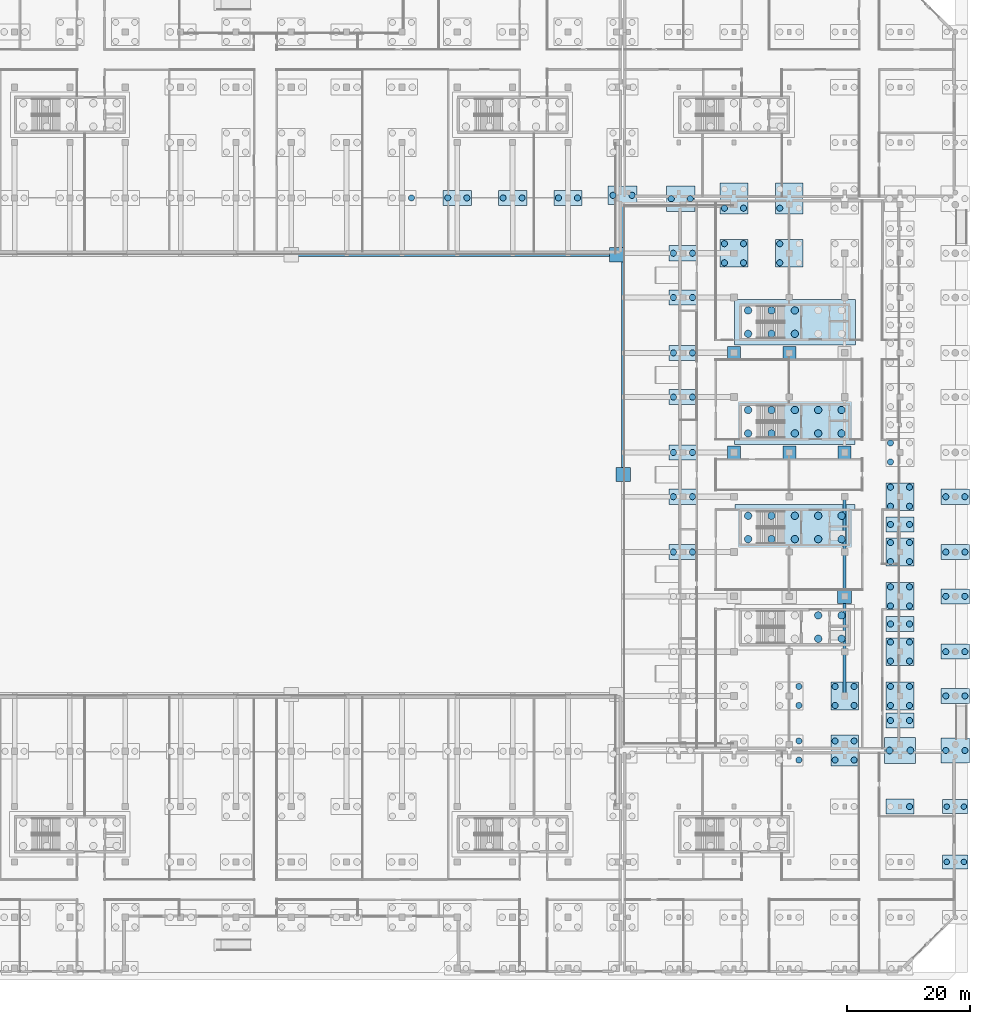
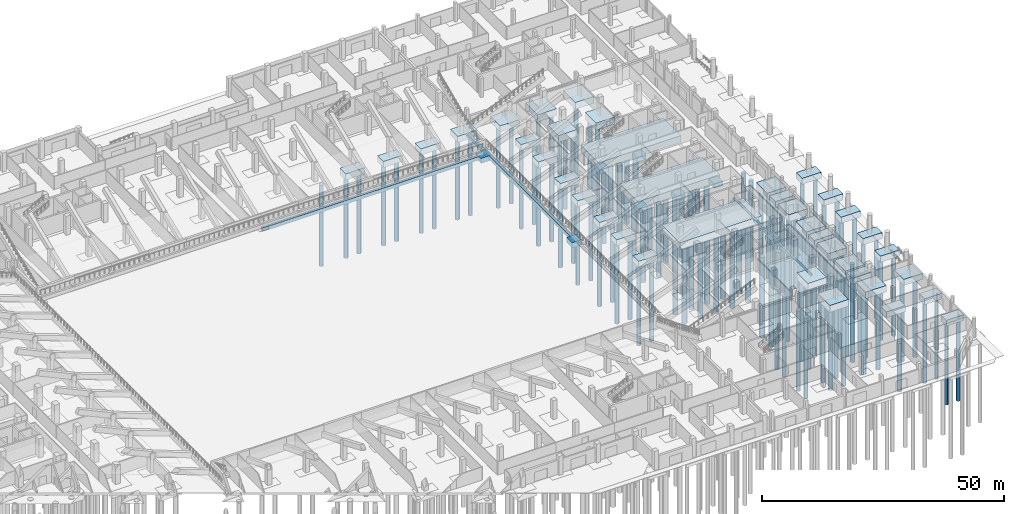
# One storey, part 5 of 53: 123 piles, 50 footings.
"""IFC4 building model written with IfcOpenShell, lengths in metres."""

from ifc_helpers import new_model, si_unit, direction, frame, origin, origin_2d, place, context, subcontext, project, spatial, rectangle, circle, extrude, material, layer, layer_set, material_profile, profile_set, type_object, element, save


model = new_model("IFC4")

# Units and contexts
model_context = context("Model", 3, precision=1e-05, world=origin(), true_north=direction((0.0, 1.0)))
body_context = subcontext(model_context, "Body", "Model", "MODEL_VIEW")
ifc_project = project(units=[si_unit("LENGTHUNIT", "METRE"), si_unit("AREAUNIT", "SQUARE_METRE"), si_unit("VOLUMEUNIT", "CUBIC_METRE"), si_unit("PLANEANGLEUNIT", "RADIAN"), si_unit("MASSUNIT", "GRAM", prefix="KILO"), si_unit("THERMODYNAMICTEMPERATUREUNIT", "KELVIN"), si_unit("POWERUNIT", "WATT")], contexts=[model_context])

# Site, building, storey
site_placement = place(None, origin())
site = spatial("IfcSite", under=ifc_project, at=site_placement, CompositionType="ELEMENT")
building_placement = place(site_placement, origin())
building = spatial("IfcBuilding", under=site, at=building_placement, Name="Sindhuravela Promenade Stadium", CompositionType="ELEMENT")
storey_placement = place(building_placement, origin())
storey = spatial("IfcBuildingStorey", under=building, at=storey_placement, Name="L00", CompositionType="ELEMENT", Elevation=0.0)

# Footings
ifc_material_1 = material(Name="Concrete M40", Category="concrete")
ifc_material_profile_1 = material_profile(ifc_material_1, rectangle(XDim=0.5, YDim=0.800048828125, at=origin_2d()), Name="RC 500x800")
ifc_profile_set_1 = profile_set([ifc_material_profile_1], Name="Concrete M40")
footing_type_1 = type_object("IfcFootingType", Name="FD-FB-500x800", PredefinedType="FOOTING_BEAM", material=ifc_profile_set_1)
footing_1_placement = place(storey_placement, frame((198.0, 45.0, -0.39990234375), z_axis=(0.0, 1.0, 0.0), x_axis=(-1.0, 0.0, 0.0)))
element("IfcFooting", 1, at=footing_1_placement, inside=storey, type_object=footing_type_1, Name="Ground tie beam FB-TIE-E1", PredefinedType="FOOTING_BEAM", context=body_context, shape_type="SweptSolid", body=[
    extrude(rectangle(XDim=0.5, YDim=0.800048828125, at=origin_2d()), origin(), (0.0, 0.0, 1.0), 32.39990234375),
])
ifc_material_profile_2 = material_profile(ifc_material_1, rectangle(XDim=0.60009765625, YDim=0.89990234375, at=origin_2d()), Name="RC 600x900")
ifc_profile_set_2 = profile_set([ifc_material_profile_2], Name="Concrete M40")
footing_type_2 = type_object("IfcFootingType", Name="FD-FB-600x900", PredefinedType="FOOTING_BEAM", material=ifc_profile_set_2)
footing_2_placement = place(storey_placement, frame((162.0, 81.0, -0.449951171875), z_axis=(0.0, 1.0, 0.0), x_axis=(-1.0, 0.0, 0.0)))
element("IfcFooting", 2, at=footing_2_placement, inside=storey, type_object=footing_type_2, Name="Ground tie beam FB-PW-E2", PredefinedType="FOOTING_BEAM", context=body_context, shape_type="SweptSolid", body=[
    extrude(rectangle(XDim=0.60009765625, YDim=0.89990234375, at=origin_2d()), origin(), (0.0, 0.0, 1.0), 43.89990234375),
])
footing_3_placement = place(storey_placement, frame((108.0, 116.75, -0.449951171875), z_axis=(1.0, 0.0, 0.0), x_axis=(0.0, 1.0, 0.0)))
element("IfcFooting", 3, at=footing_3_placement, inside=storey, type_object=footing_type_2, Name="Ground tie beam FB-PW-N2", PredefinedType="FOOTING_BEAM", context=body_context, shape_type="SweptSolid", body=[
    extrude(rectangle(XDim=0.60009765625, YDim=0.89990234375, at=origin_2d()), origin(), (0.0, 0.0, 1.0), 52.89990234375),
])
ifc_material_2 = material(Name="Concrete M50", Category="concrete")
ifc_layer_1 = layer(ifc_material_2, 1.75)
ifc_layer_set_1 = layer_set([ifc_layer_1], Name="Concrete M50")
footing_type_3 = type_object("IfcFootingType", Name="FD-PC-19500x7400x1750", PredefinedType="PILE_CAP", material=ifc_layer_set_1)
footing_4_placement = place(storey_placement, frame((189.89990234375, 72.39990234375, -1.75), z_axis=(0.0, 0.0, 1.0), x_axis=(1.0, 0.0, 0.0)))
element("IfcFooting", 4, at=footing_4_placement, inside=storey, type_object=footing_type_3, Name="Core pile cap C06", PredefinedType="PILE_CAP", context=body_context, shape_type="SweptSolid", body=[
    extrude(rectangle(XDim=19.5, YDim=7.39990234375, at=origin_2d()), origin(), (0.0, 0.0, 1.0), 1.75),
])
ifc_layer_2 = layer(ifc_material_2, 1.75)
ifc_layer_set_2 = layer_set([ifc_layer_2], Name="Concrete M50")
footing_type_4 = type_object("IfcFootingType", Name="FD-PC-19600x7400x1750", PredefinedType="PILE_CAP", material=ifc_layer_set_2)
footing_5_placement = place(storey_placement, frame((189.89990234375, 89.60009765625, -1.75), z_axis=(0.0, 0.0, 1.0), x_axis=(1.0, 0.0, 0.0)))
element("IfcFooting", 5, at=footing_5_placement, inside=storey, type_object=footing_type_4, Name="Core pile cap C07", PredefinedType="PILE_CAP", context=body_context, shape_type="SweptSolid", body=[
    extrude(rectangle(XDim=19.60009765625, YDim=7.39990234375, at=origin_2d()), origin(), (0.0, 0.0, 1.0), 1.75),
])
ifc_layer_3 = layer(ifc_material_2, 1.75)
ifc_layer_set_3 = layer_set([ifc_layer_3], Name="Concrete M50")
footing_type_5 = type_object("IfcFootingType", Name="FD-PC-19700x7400x1750", PredefinedType="PILE_CAP", material=ifc_layer_set_3)
footing_6_placement = place(storey_placement, frame((189.89990234375, 105.800048828125, -1.75), z_axis=(0.0, 0.0, 1.0), x_axis=(1.0, 0.0, 0.0)))
element("IfcFooting", 6, at=footing_6_placement, inside=storey, type_object=footing_type_5, Name="Core pile cap C08", PredefinedType="PILE_CAP", context=body_context, shape_type="SweptSolid", body=[
    extrude(rectangle(XDim=19.699951171875, YDim=7.39990234375, at=origin_2d()), origin(), (0.0, 0.0, 1.0), 1.75),
])
ifc_layer_4 = layer(ifc_material_2, 1.449951171875)
ifc_layer_set_4 = layer_set([ifc_layer_4], Name="Concrete M50")
footing_type_6 = type_object("IfcFootingType", Name="FD-PC-4200x2250x1450", PredefinedType="PILE_CAP", material=ifc_layer_set_4)
for number, where, z_axis, x_axis, name in (
    (7, (216.0, 18.0, -1.4501953125), (0.0, 0.0, 1.0), (1.0, 0.0, 0.0), "Pile cap PC30-0311"),
    (8, (216.0, 27.0, -1.4501953125), (0.0, 0.0, 1.0), (1.0, 0.0, 0.0), "Pile cap PC30-0312"),
):
    element("IfcFooting", number, at=place(storey_placement, frame(where, z_axis=z_axis, x_axis=x_axis)), inside=storey, type_object=footing_type_6, Name=name, PredefinedType="PILE_CAP", context=body_context, shape_type="SweptSolid", body=[
        extrude(rectangle(XDim=4.199951171875, YDim=2.25, at=origin_2d()), origin(), (0.0, 0.0, 1.0), 1.449951171875),
    ])
ifc_layer_5 = layer(ifc_material_2, 1.75)
ifc_layer_set_5 = layer_set([ifc_layer_5], Name="Concrete M50")
footing_type_7 = type_object("IfcFootingType", Name="FD-PC-4500x4500x1750", PredefinedType="PILE_CAP", material=ifc_layer_set_5)
for number, where, z_axis, x_axis, name in (
    (9, (180.0, 117.0, -1.75), (0.0, 0.0, 1.0), (1.0, 0.0, 0.0), "Pile cap PC26-0095"),
    (10, (189.0, 117.0, -1.75), (0.0, 0.0, 1.0), (1.0, 0.0, 0.0), "Pile cap PC26-0107"),
    (11, (198.0, 45.0, -1.75), (0.0, 0.0, 1.0), (1.0, 0.0, 0.0), "Pile cap PC26-0110"),
    (12, (207.0, 45.0, -1.75), (0.0, 0.0, 1.0), (1.0, 0.0, 0.0), "Pile cap PC26-0122"),
    (13, (207.0, 52.199951171875, -1.75), (0.0, 0.0, 1.0), (1.0, 0.0, 0.0), "Pile cap PC26-0123"),
    (14, (207.0, 61.199951171875, -1.75), (0.0, 0.0, 1.0), (1.0, 0.0, 0.0), "Pile cap PC26-0124"),
    (15, (207.0, 68.39990234375, -1.75), (0.0, 0.0, 1.0), (1.0, 0.0, 0.0), "Pile cap PC26-0125"),
    (16, (207.0, 77.39990234375, -1.75), (0.0, 0.0, 1.0), (1.0, 0.0, 0.0), "Pile cap PC26-0126"),
):
    element("IfcFooting", number, at=place(storey_placement, frame(where, z_axis=z_axis, x_axis=x_axis)), inside=storey, type_object=footing_type_7, Name=name, PredefinedType="PILE_CAP", context=body_context, shape_type="SweptSolid", body=[
        extrude(rectangle(XDim=4.5, YDim=4.5, at=origin_2d()), origin(), (0.0, 0.0, 1.0), 1.75),
    ])
ifc_layer_6 = layer(ifc_material_2, 1.75)
ifc_layer_set_6 = layer_set([ifc_layer_6], Name="Concrete M50")
footing_type_8 = type_object("IfcFootingType", Name="FD-PC-4500x5050x1750", PredefinedType="PILE_CAP", material=ifc_layer_set_6)
for number, where, z_axis, x_axis, name in (
    (17, (180.0, 125.875, -1.75), (0.0, 0.0, 1.0), (1.0, 0.0, 0.0), "Pile cap PC17-0096"),
    (18, (189.0, 125.875, -1.75), (0.0, 0.0, 1.0), (1.0, 0.0, 0.0), "Pile cap PC17-0108"),
    (19, (198.0, 36.125, -1.75), (0.0, 0.0, 1.0), (1.0, 0.0, 0.0), "Pile cap PC17-0109"),
):
    element("IfcFooting", number, at=place(storey_placement, frame(where, z_axis=z_axis, x_axis=x_axis)), inside=storey, type_object=footing_type_8, Name=name, PredefinedType="PILE_CAP", context=body_context, shape_type="SweptSolid", body=[
        extrude(rectangle(XDim=4.5, YDim=5.050048828125, at=origin_2d()), origin(), (0.0, 0.0, 1.0), 1.75),
    ])
ifc_layer_7 = layer(ifc_material_2, 1.550048828125)
ifc_layer_set_7 = layer_set([ifc_layer_7], Name="Concrete M50")
footing_type_9 = type_object("IfcFootingType", Name="FD-PC-4600x2450x1550", PredefinedType="PILE_CAP", material=ifc_layer_set_7)
for number, where, z_axis, x_axis, name in (
    (20, (171.699951171875, 68.39990234375, -1.5498046875), (0.0, 0.0, 1.0), (1.0, 0.0, 0.0), "Pile cap PC25-0077"),
    (21, (171.699951171875, 77.39990234375, -1.5498046875), (0.0, 0.0, 1.0), (1.0, 0.0, 0.0), "Pile cap PC25-0078"),
    (22, (171.699951171875, 84.60009765625, -1.5498046875), (0.0, 0.0, 1.0), (1.0, 0.0, 0.0), "Pile cap PC25-0079"),
    (23, (171.699951171875, 93.60009765625, -1.5498046875), (0.0, 0.0, 1.0), (1.0, 0.0, 0.0), "Pile cap PC25-0080"),
    (24, (171.699951171875, 100.800048828125, -1.5498046875), (0.0, 0.0, 1.0), (1.0, 0.0, 0.0), "Pile cap PC25-0081"),
    (25, (171.699951171875, 109.800048828125, -1.5498046875), (0.0, 0.0, 1.0), (1.0, 0.0, 0.0), "Pile cap PC25-0082"),
    (26, (171.699951171875, 117.0, -1.5498046875), (0.0, 0.0, 1.0), (1.0, 0.0, 0.0), "Pile cap PC25-0083"),
    (27, (216.0, 45.0, -1.5498046875), (0.0, 0.0, 1.0), (1.0, 0.0, 0.0), "Pile cap PC25-0134"),
    (28, (216.0, 52.199951171875, -1.5498046875), (0.0, 0.0, 1.0), (1.0, 0.0, 0.0), "Pile cap PC25-0135"),
    (29, (216.0, 61.199951171875, -1.5498046875), (0.0, 0.0, 1.0), (1.0, 0.0, 0.0), "Pile cap PC25-0136"),
    (30, (216.0, 68.39990234375, -1.5498046875), (0.0, 0.0, 1.0), (1.0, 0.0, 0.0), "Pile cap PC25-0137"),
    (31, (216.0, 77.39990234375, -1.5498046875), (0.0, 0.0, 1.0), (1.0, 0.0, 0.0), "Pile cap PC25-0138"),
    (32, (135.0, 126.0, -1.5498046875), (0.0, 0.0, 1.0), (1.0, 0.0, 0.0), "Pile cap PC25-0187"),
    (33, (144.0, 126.0, -1.5498046875), (0.0, 0.0, 1.0), (1.0, 0.0, 0.0), "Pile cap PC25-0192"),
    (34, (153.0, 126.0, -1.5498046875), (0.0, 0.0, 1.0), (1.0, 0.0, 0.0), "Pile cap PC25-0197"),
    (35, (207.0, 27.0, -1.5498046875), (0.0, 0.0, 1.0), (1.0, 0.0, 0.0), "Pile cap PC25-0309"),
    (36, (207.0, 41.0, -1.5498046875), (0.0, 0.0, 1.0), (1.0, 0.0, 0.0), "Pile cap PC25-0360"),
    (37, (207.0, 56.699951171875, -1.5498046875), (0.0, 0.0, 1.0), (1.0, 0.0, 0.0), "Pile cap PC25-0362"),
    (38, (207.0, 72.89990234375, -1.5498046875), (0.0, 0.0, 1.0), (1.0, 0.0, 0.0), "Pile cap PC25-0364"),
):
    element("IfcFooting", number, at=place(storey_placement, frame(where, z_axis=z_axis, x_axis=x_axis)), inside=storey, type_object=footing_type_9, Name=name, PredefinedType="PILE_CAP", context=body_context, shape_type="SweptSolid", body=[
        extrude(rectangle(XDim=4.60009765625, YDim=2.449951171875, at=origin_2d()), origin(), (0.0, 0.0, 1.0), 1.550048828125),
    ])
ifc_layer_8 = layer(ifc_material_2, 1.550048828125)
ifc_layer_set_8 = layer_set([ifc_layer_8], Name="Concrete M50")
footing_type_10 = type_object("IfcFootingType", Name="FD-PC-4600x4100x1550", PredefinedType="PILE_CAP", material=ifc_layer_set_8)
for number, where, z_axis, x_axis, name in (
    (39, (171.35009765625, 125.875, -1.5498046875), (0.0, 0.0, 1.0), (1.0, 0.0, 0.0), "Pile cap PC24-0084"),
    (40, (216.0, 36.125, -1.5498046875), (0.0, 0.0, 1.0), (1.0, 0.0, 0.0), "Pile cap PC24-0133"),
):
    element("IfcFooting", number, at=place(storey_placement, frame(where, z_axis=z_axis, x_axis=x_axis)), inside=storey, type_object=footing_type_10, Name=name, PredefinedType="PILE_CAP", context=body_context, shape_type="SweptSolid", body=[
        extrude(rectangle(XDim=4.60009765625, YDim=4.10009765625, at=origin_2d()), origin(), (0.0, 0.0, 1.0), 1.550048828125),
    ])
ifc_layer_9 = layer(ifc_material_2, 1.550048828125)
ifc_layer_set_9 = layer_set([ifc_layer_9], Name="Concrete M50")
footing_type_11 = type_object("IfcFootingType", Name="FD-PC-4650x3000x1550", PredefinedType="PILE_CAP", material=ifc_layer_set_9)
footing_7_placement = place(storey_placement, frame((161.875, 126.425048828125, -1.5498046875), z_axis=(0.0, 0.0, 1.0), x_axis=(1.0, 0.0, 0.0)))
element("IfcFooting", 41, at=footing_7_placement, inside=storey, type_object=footing_type_11, Name="Pile cap PC27-0202", PredefinedType="PILE_CAP", context=body_context, shape_type="SweptSolid", body=[
    extrude(rectangle(XDim=4.64990234375, YDim=3.0, at=origin_2d()), origin(), (0.0, 0.0, 1.0), 1.550048828125),
])
ifc_layer_10 = layer(ifc_material_2, 1.64990234375)
ifc_layer_set_10 = layer_set([ifc_layer_10], Name="Concrete M50")
footing_type_12 = type_object("IfcFootingType", Name="FD-PC-5000x4150x1650", PredefinedType="PILE_CAP", material=ifc_layer_set_10)
footing_8_placement = place(storey_placement, frame((207.0, 36.125, -1.64990234375), z_axis=(0.0, 0.0, 1.0), x_axis=(1.0, 0.0, 0.0)))
element("IfcFooting", 42, at=footing_8_placement, inside=storey, type_object=footing_type_12, Name="Pile cap PC22-0121", PredefinedType="PILE_CAP", context=body_context, shape_type="SweptSolid", body=[
    extrude(rectangle(XDim=5.0, YDim=4.14990234375, at=origin_2d()), origin(), (0.0, 0.0, 1.0), 1.64990234375),
])
ifc_layer_11 = layer(ifc_material_2, 1.14990234375)
ifc_layer_set_11 = layer_set([ifc_layer_11], Name="Concrete M50")
footing_type_13 = type_object("IfcFootingType", Name="FD-PF-2100x2100x1150", PredefinedType="PAD_FOOTING", material=ifc_layer_set_11)
for number, where, z_axis, x_axis, name in (
    (43, (180.0, 84.60009765625, -1.14990234375), (0.0, 0.0, 1.0), (1.0, 0.0, 0.0), "Pad footing PF20-0091"),
    (44, (180.0, 100.800048828125, -1.14990234375), (0.0, 0.0, 1.0), (1.0, 0.0, 0.0), "Pad footing PF20-0093"),
    (45, (189.0, 84.60009765625, -1.14990234375), (0.0, 0.0, 1.0), (1.0, 0.0, 0.0), "Pad footing PF20-0103"),
    (46, (189.0, 100.800048828125, -1.14990234375), (0.0, 0.0, 1.0), (1.0, 0.0, 0.0), "Pad footing PF20-0105"),
    (47, (198.0, 84.60009765625, -1.14990234375), (0.0, 0.0, 1.0), (1.0, 0.0, 0.0), "Pad footing PF20-0115"),
):
    element("IfcFooting", number, at=place(storey_placement, frame(where, z_axis=z_axis, x_axis=x_axis)), inside=storey, type_object=footing_type_13, Name=name, PredefinedType="PAD_FOOTING", context=body_context, shape_type="SweptSolid", body=[
        extrude(rectangle(XDim=2.10009765625, YDim=2.10009765625, at=origin_2d()), origin(), (0.0, 0.0, 1.0), 1.14990234375),
    ])
ifc_layer_12 = layer(ifc_material_2, 1.25)
ifc_layer_set_12 = layer_set([ifc_layer_12], Name="Concrete M50")
footing_type_14 = type_object("IfcFootingType", Name="FD-PF-2300x2300x1250", PredefinedType="PAD_FOOTING", material=ifc_layer_set_12)
for number, where, z_axis, x_axis, name in (
    (48, (198.0, 61.199951171875, -1.25), (0.0, 0.0, 1.0), (1.0, 0.0, 0.0), "Pad footing PF19-0112"),
    (49, (162.0, 81.0, -1.25), (0.0, 0.0, 1.0), (1.0, 0.0, 0.0), "Bowl plinth pad footing 5"),
    (50, (160.89990234375, 116.75, -1.25), (0.0, 0.0, 1.0), (1.0, 0.0, 0.0), "Bowl plinth pad footing 12"),
):
    element("IfcFooting", number, at=place(storey_placement, frame(where, z_axis=z_axis, x_axis=x_axis)), inside=storey, type_object=footing_type_14, Name=name, PredefinedType="PAD_FOOTING", context=body_context, shape_type="SweptSolid", body=[
        extrude(rectangle(XDim=2.300048828125, YDim=2.300048828125, at=origin_2d()), origin(), (0.0, 0.0, 1.0), 1.25),
    ])

# Piles
ifc_material_profile_3 = material_profile(ifc_material_1, circle(Radius=0.5, at=origin_2d()), Name="BORED PILE D1000")
ifc_profile_set_3 = profile_set([ifc_material_profile_3], Name="Concrete M40")
pile_type_1 = type_object("IfcPileType", Name="FD-PL-1000", PredefinedType="BORED", material=ifc_profile_set_3)
for number, where, z_axis, x_axis, name in (
    (51, (170.14990234375, 68.39990234375, -1.449951171875), (0.0, 0.0, -1.0), (1.0, 0.0, 0.0), "Bored pile P1000-0337"),
    (52, (173.25, 68.39990234375, -1.449951171875), (0.0, 0.0, -1.0), (1.0, 0.0, 0.0), "Bored pile P1000-0338"),
    (53, (170.14990234375, 77.39990234375, -1.449951171875), (0.0, 0.0, -1.0), (1.0, 0.0, 0.0), "Bored pile P1000-0339"),
    (54, (173.25, 77.39990234375, -1.449951171875), (0.0, 0.0, -1.0), (1.0, 0.0, 0.0), "Bored pile P1000-0340"),
    (55, (170.14990234375, 84.60009765625, -1.449951171875), (0.0, 0.0, -1.0), (1.0, 0.0, 0.0), "Bored pile P1000-0341"),
    (56, (173.25, 84.60009765625, -1.449951171875), (0.0, 0.0, -1.0), (1.0, 0.0, 0.0), "Bored pile P1000-0342"),
    (57, (170.14990234375, 93.60009765625, -1.449951171875), (0.0, 0.0, -1.0), (1.0, 0.0, 0.0), "Bored pile P1000-0343"),
    (58, (173.25, 93.60009765625, -1.449951171875), (0.0, 0.0, -1.0), (1.0, 0.0, 0.0), "Bored pile P1000-0344"),
    (59, (170.14990234375, 100.800048828125, -1.449951171875), (0.0, 0.0, -1.0), (1.0, 0.0, 0.0), "Bored pile P1000-0345"),
    (60, (173.25, 100.800048828125, -1.449951171875), (0.0, 0.0, -1.0), (1.0, 0.0, 0.0), "Bored pile P1000-0346"),
    (61, (170.14990234375, 109.800048828125, -1.449951171875), (0.0, 0.0, -1.0), (1.0, 0.0, 0.0), "Bored pile P1000-0347"),
    (62, (173.25, 109.800048828125, -1.449951171875), (0.0, 0.0, -1.0), (1.0, 0.0, 0.0), "Bored pile P1000-0348"),
    (63, (170.14990234375, 117.0, -1.449951171875), (0.0, 0.0, -1.0), (1.0, 0.0, 0.0), "Bored pile P1000-0349"),
    (64, (173.25, 117.0, -1.449951171875), (0.0, 0.0, -1.0), (1.0, 0.0, 0.0), "Bored pile P1000-0350"),
    (65, (169.800048828125, 125.875, -1.449951171875), (0.0, 0.0, -1.0), (1.0, 0.0, 0.0), "Bored pile P1000-0351"),
    (66, (172.89990234375, 125.875, -1.449951171875), (0.0, 0.0, -1.0), (1.0, 0.0, 0.0), "Bored pile P1000-0352"),
):
    element("IfcPile", number, at=place(storey_placement, frame(where, z_axis=z_axis, x_axis=x_axis)), inside=storey, type_object=pile_type_1, Name=name, PredefinedType="BORED", context=body_context, shape_type="SweptSolid", body=[
        extrude(circle(Radius=0.5, at=origin_2d()), origin(), (0.0, 0.0, 1.0), 20.550048828125),
    ])
for number, where, z_axis, x_axis, name in (
    (67, (178.449951171875, 115.449951171875, -1.64990234375), (0.0, 0.0, -1.0), (1.0, 0.0, 0.0), "Bored pile P1000-0361"),
    (68, (181.550048828125, 115.449951171875, -1.64990234375), (0.0, 0.0, -1.0), (1.0, 0.0, 0.0), "Bored pile P1000-0362"),
    (69, (178.449951171875, 118.550048828125, -1.64990234375), (0.0, 0.0, -1.0), (1.0, 0.0, 0.0), "Bored pile P1000-0363"),
    (70, (181.550048828125, 118.550048828125, -1.64990234375), (0.0, 0.0, -1.0), (1.0, 0.0, 0.0), "Bored pile P1000-0364"),
    (71, (178.449951171875, 124.324951171875, -1.64990234375), (0.0, 0.0, -1.0), (1.0, 0.0, 0.0), "Bored pile P1000-0365"),
    (72, (181.550048828125, 124.324951171875, -1.64990234375), (0.0, 0.0, -1.0), (1.0, 0.0, 0.0), "Bored pile P1000-0366"),
    (73, (190.550048828125, 34.574951171875, -1.64990234375), (0.0, 0.0, -1.0), (1.0, 0.0, 0.0), "Bored pile P1000-0370"),
    (74, (190.550048828125, 37.675048828125, -1.64990234375), (0.0, 0.0, -1.0), (1.0, 0.0, 0.0), "Bored pile P1000-0372"),
    (75, (190.550048828125, 43.449951171875, -1.64990234375), (0.0, 0.0, -1.0), (1.0, 0.0, 0.0), "Bored pile P1000-0374"),
    (76, (190.550048828125, 46.550048828125, -1.64990234375), (0.0, 0.0, -1.0), (1.0, 0.0, 0.0), "Bored pile P1000-0376"),
    (77, (187.449951171875, 115.449951171875, -1.64990234375), (0.0, 0.0, -1.0), (1.0, 0.0, 0.0), "Bored pile P1000-0377"),
    (78, (187.449951171875, 118.550048828125, -1.64990234375), (0.0, 0.0, -1.0), (1.0, 0.0, 0.0), "Bored pile P1000-0379"),
    (79, (187.449951171875, 124.324951171875, -1.64990234375), (0.0, 0.0, -1.0), (1.0, 0.0, 0.0), "Bored pile P1000-0381"),
    (80, (196.449951171875, 34.574951171875, -1.64990234375), (0.0, 0.0, -1.0), (1.0, 0.0, 0.0), "Bored pile P1000-0385"),
    (81, (199.550048828125, 34.574951171875, -1.64990234375), (0.0, 0.0, -1.0), (1.0, 0.0, 0.0), "Bored pile P1000-0386"),
    (82, (196.449951171875, 37.675048828125, -1.64990234375), (0.0, 0.0, -1.0), (1.0, 0.0, 0.0), "Bored pile P1000-0387"),
    (83, (199.550048828125, 37.675048828125, -1.64990234375), (0.0, 0.0, -1.0), (1.0, 0.0, 0.0), "Bored pile P1000-0388"),
    (84, (196.449951171875, 43.449951171875, -1.64990234375), (0.0, 0.0, -1.0), (1.0, 0.0, 0.0), "Bored pile P1000-0389"),
    (85, (199.550048828125, 43.449951171875, -1.64990234375), (0.0, 0.0, -1.0), (1.0, 0.0, 0.0), "Bored pile P1000-0390"),
    (86, (196.449951171875, 46.550048828125, -1.64990234375), (0.0, 0.0, -1.0), (1.0, 0.0, 0.0), "Bored pile P1000-0391"),
    (87, (199.550048828125, 46.550048828125, -1.64990234375), (0.0, 0.0, -1.0), (1.0, 0.0, 0.0), "Bored pile P1000-0392"),
    (88, (205.449951171875, 43.449951171875, -1.64990234375), (0.0, 0.0, -1.0), (1.0, 0.0, 0.0), "Bored pile P1000-0403"),
    (89, (208.550048828125, 43.449951171875, -1.64990234375), (0.0, 0.0, -1.0), (1.0, 0.0, 0.0), "Bored pile P1000-0404"),
    (90, (205.449951171875, 46.550048828125, -1.64990234375), (0.0, 0.0, -1.0), (1.0, 0.0, 0.0), "Bored pile P1000-0405"),
    (91, (208.550048828125, 46.550048828125, -1.64990234375), (0.0, 0.0, -1.0), (1.0, 0.0, 0.0), "Bored pile P1000-0406"),
    (92, (205.449951171875, 50.64990234375, -1.64990234375), (0.0, 0.0, -1.0), (1.0, 0.0, 0.0), "Bored pile P1000-0407"),
    (93, (208.550048828125, 50.64990234375, -1.64990234375), (0.0, 0.0, -1.0), (1.0, 0.0, 0.0), "Bored pile P1000-0408"),
    (94, (205.449951171875, 53.75, -1.64990234375), (0.0, 0.0, -1.0), (1.0, 0.0, 0.0), "Bored pile P1000-0409"),
    (95, (208.550048828125, 53.75, -1.64990234375), (0.0, 0.0, -1.0), (1.0, 0.0, 0.0), "Bored pile P1000-0410"),
    (96, (205.449951171875, 59.64990234375, -1.64990234375), (0.0, 0.0, -1.0), (1.0, 0.0, 0.0), "Bored pile P1000-0411"),
    (97, (208.550048828125, 59.64990234375, -1.64990234375), (0.0, 0.0, -1.0), (1.0, 0.0, 0.0), "Bored pile P1000-0412"),
    (98, (205.449951171875, 62.75, -1.64990234375), (0.0, 0.0, -1.0), (1.0, 0.0, 0.0), "Bored pile P1000-0413"),
    (99, (208.550048828125, 62.75, -1.64990234375), (0.0, 0.0, -1.0), (1.0, 0.0, 0.0), "Bored pile P1000-0414"),
    (100, (205.449951171875, 66.85009765625, -1.64990234375), (0.0, 0.0, -1.0), (1.0, 0.0, 0.0), "Bored pile P1000-0415"),
    (101, (208.550048828125, 66.85009765625, -1.64990234375), (0.0, 0.0, -1.0), (1.0, 0.0, 0.0), "Bored pile P1000-0416"),
    (102, (205.449951171875, 69.949951171875, -1.64990234375), (0.0, 0.0, -1.0), (1.0, 0.0, 0.0), "Bored pile P1000-0417"),
    (103, (208.550048828125, 69.949951171875, -1.64990234375), (0.0, 0.0, -1.0), (1.0, 0.0, 0.0), "Bored pile P1000-0418"),
    (104, (205.449951171875, 75.85009765625, -1.64990234375), (0.0, 0.0, -1.0), (1.0, 0.0, 0.0), "Bored pile P1000-0419"),
    (105, (208.550048828125, 75.85009765625, -1.64990234375), (0.0, 0.0, -1.0), (1.0, 0.0, 0.0), "Bored pile P1000-0420"),
    (106, (205.449951171875, 78.949951171875, -1.64990234375), (0.0, 0.0, -1.0), (1.0, 0.0, 0.0), "Bored pile P1000-0421"),
    (107, (208.550048828125, 78.949951171875, -1.64990234375), (0.0, 0.0, -1.0), (1.0, 0.0, 0.0), "Bored pile P1000-0422"),
    (108, (205.449951171875, 83.050048828125, -1.64990234375), (0.0, 0.0, -1.0), (1.0, 0.0, 0.0), "Bored pile P1000-0423"),
    (109, (205.449951171875, 86.14990234375, -1.64990234375), (0.0, 0.0, -1.0), (1.0, 0.0, 0.0), "Bored pile P1000-0425"),
):
    element("IfcPile", number, at=place(storey_placement, frame(where, z_axis=z_axis, x_axis=x_axis)), inside=storey, type_object=pile_type_1, Name=name, PredefinedType="BORED", context=body_context, shape_type="SweptSolid", body=[
        extrude(circle(Radius=0.5, at=origin_2d()), origin(), (0.0, 0.0, 1.0), 20.35009765625),
    ])
for number, where, z_axis, x_axis, name in (
    (110, (214.449951171875, 36.125, -1.449951171875), (0.0, 0.0, -1.0), (1.0, 0.0, 0.0), "Bored pile P1000-0445"),
    (111, (217.550048828125, 36.125, -1.449951171875), (0.0, 0.0, -1.0), (1.0, 0.0, 0.0), "Bored pile P1000-0446"),
    (112, (214.449951171875, 45.0, -1.449951171875), (0.0, 0.0, -1.0), (1.0, 0.0, 0.0), "Bored pile P1000-0447"),
    (113, (217.550048828125, 45.0, -1.449951171875), (0.0, 0.0, -1.0), (1.0, 0.0, 0.0), "Bored pile P1000-0448"),
    (114, (214.449951171875, 52.199951171875, -1.449951171875), (0.0, 0.0, -1.0), (1.0, 0.0, 0.0), "Bored pile P1000-0449"),
    (115, (217.550048828125, 52.199951171875, -1.449951171875), (0.0, 0.0, -1.0), (1.0, 0.0, 0.0), "Bored pile P1000-0450"),
    (116, (214.449951171875, 61.199951171875, -1.449951171875), (0.0, 0.0, -1.0), (1.0, 0.0, 0.0), "Bored pile P1000-0451"),
    (117, (217.550048828125, 61.199951171875, -1.449951171875), (0.0, 0.0, -1.0), (1.0, 0.0, 0.0), "Bored pile P1000-0452"),
    (118, (214.449951171875, 68.39990234375, -1.449951171875), (0.0, 0.0, -1.0), (1.0, 0.0, 0.0), "Bored pile P1000-0453"),
    (119, (217.550048828125, 68.39990234375, -1.449951171875), (0.0, 0.0, -1.0), (1.0, 0.0, 0.0), "Bored pile P1000-0454"),
    (120, (214.449951171875, 77.39990234375, -1.449951171875), (0.0, 0.0, -1.0), (1.0, 0.0, 0.0), "Bored pile P1000-0455"),
    (121, (217.550048828125, 77.39990234375, -1.449951171875), (0.0, 0.0, -1.0), (1.0, 0.0, 0.0), "Bored pile P1000-0456"),
    (122, (127.550048828125, 126.0, -1.449951171875), (0.0, 0.0, -1.0), (1.0, 0.0, 0.0), "Bored pile P1000-0548"),
    (123, (133.449951171875, 126.0, -1.449951171875), (0.0, 0.0, -1.0), (1.0, 0.0, 0.0), "Bored pile P1000-0561"),
    (124, (136.550048828125, 126.0, -1.449951171875), (0.0, 0.0, -1.0), (1.0, 0.0, 0.0), "Bored pile P1000-0562"),
    (125, (142.449951171875, 126.0, -1.449951171875), (0.0, 0.0, -1.0), (1.0, 0.0, 0.0), "Bored pile P1000-0569"),
    (126, (145.550048828125, 126.0, -1.449951171875), (0.0, 0.0, -1.0), (1.0, 0.0, 0.0), "Bored pile P1000-0570"),
    (127, (151.449951171875, 126.0, -1.449951171875), (0.0, 0.0, -1.0), (1.0, 0.0, 0.0), "Bored pile P1000-0575"),
    (128, (154.550048828125, 126.0, -1.449951171875), (0.0, 0.0, -1.0), (1.0, 0.0, 0.0), "Bored pile P1000-0576"),
    (129, (160.324951171875, 126.425048828125, -1.449951171875), (0.0, 0.0, -1.0), (1.0, 0.0, 0.0), "Bored pile P1000-0583"),
    (130, (163.425048828125, 126.425048828125, -1.449951171875), (0.0, 0.0, -1.0), (1.0, 0.0, 0.0), "Bored pile P1000-0584"),
    (131, (208.550048828125, 27.0, -1.449951171875), (0.0, 0.0, -1.0), (1.0, 0.0, 0.0), "Bored pile P1000-0782"),
    (132, (205.449951171875, 41.0, -1.449951171875), (0.0, 0.0, -1.0), (1.0, 0.0, 0.0), "Bored pile P1000-0859"),
    (133, (208.550048828125, 41.0, -1.449951171875), (0.0, 0.0, -1.0), (1.0, 0.0, 0.0), "Bored pile P1000-0860"),
    (134, (205.449951171875, 56.699951171875, -1.449951171875), (0.0, 0.0, -1.0), (1.0, 0.0, 0.0), "Bored pile P1000-0863"),
    (135, (208.550048828125, 56.699951171875, -1.449951171875), (0.0, 0.0, -1.0), (1.0, 0.0, 0.0), "Bored pile P1000-0864"),
    (136, (205.449951171875, 72.89990234375, -1.449951171875), (0.0, 0.0, -1.0), (1.0, 0.0, 0.0), "Bored pile P1000-0867"),
    (137, (208.550048828125, 72.89990234375, -1.449951171875), (0.0, 0.0, -1.0), (1.0, 0.0, 0.0), "Bored pile P1000-0868"),
):
    element("IfcPile", number, at=place(storey_placement, frame(where, z_axis=z_axis, x_axis=x_axis)), inside=storey, type_object=pile_type_1, Name=name, PredefinedType="BORED", context=body_context, shape_type="SweptSolid", body=[
        extrude(circle(Radius=0.5, at=origin_2d()), origin(), (0.0, 0.0, 1.0), 20.550048828125),
    ])
ifc_material_profile_4 = material_profile(ifc_material_1, circle(Radius=0.550048828125, at=origin_2d()), Name="BORED PILE D1100")
ifc_profile_set_4 = profile_set([ifc_material_profile_4], Name="Concrete M40")
pile_type_2 = type_object("IfcPileType", Name="FD-PL-1100", PredefinedType="BORED", material=ifc_profile_set_4)
for number, where, z_axis, x_axis, name in (
    (138, (205.300048828125, 36.125, -1.550048828125), (0.0, 0.0, -1.0), (1.0, 0.0, 0.0), "Bored pile P1100-0401"),
    (139, (208.699951171875, 36.125, -1.550048828125), (0.0, 0.0, -1.0), (1.0, 0.0, 0.0), "Bored pile P1100-0402"),
):
    element("IfcPile", number, at=place(storey_placement, frame(where, z_axis=z_axis, x_axis=x_axis)), inside=storey, type_object=pile_type_2, Name=name, PredefinedType="BORED", context=body_context, shape_type="SweptSolid", body=[
        extrude(circle(Radius=0.550048828125, at=origin_2d()), origin(), (0.0, 0.0, 1.0), 20.449951171875),
    ])
ifc_material_profile_5 = material_profile(ifc_material_1, circle(Radius=0.60009765625, at=origin_2d()), Name="BORED PILE D1200")
ifc_profile_set_5 = profile_set([ifc_material_profile_5], Name="Concrete M40")
pile_type_3 = type_object("IfcPileType", Name="FD-PL-1200", PredefinedType="BORED", material=ifc_profile_set_5)
for number, where, z_axis, x_axis, name in (
    (140, (193.699951171875, 54.300048828125, -1.64990234375), (0.0, 0.0, -1.0), (1.0, 0.0, 0.0), "Bored pile P1200-0047"),
    (141, (193.699951171875, 58.10009765625, -1.64990234375), (0.0, 0.0, -1.0), (1.0, 0.0, 0.0), "Bored pile P1200-0048"),
    (142, (197.5, 54.300048828125, -1.64990234375), (0.0, 0.0, -1.0), (1.0, 0.0, 0.0), "Bored pile P1200-0049"),
    (143, (197.5, 58.10009765625, -1.64990234375), (0.0, 0.0, -1.0), (1.0, 0.0, 0.0), "Bored pile P1200-0050"),
    (144, (182.300048828125, 70.5, -1.64990234375), (0.0, 0.0, -1.0), (1.0, 0.0, 0.0), "Bored pile P1200-0051"),
    (145, (182.300048828125, 74.300048828125, -1.64990234375), (0.0, 0.0, -1.0), (1.0, 0.0, 0.0), "Bored pile P1200-0052"),
    (146, (186.10009765625, 70.5, -1.64990234375), (0.0, 0.0, -1.0), (1.0, 0.0, 0.0), "Bored pile P1200-0053"),
    (147, (186.10009765625, 74.300048828125, -1.64990234375), (0.0, 0.0, -1.0), (1.0, 0.0, 0.0), "Bored pile P1200-0054"),
    (148, (189.89990234375, 70.5, -1.64990234375), (0.0, 0.0, -1.0), (1.0, 0.0, 0.0), "Bored pile P1200-0055"),
    (149, (189.89990234375, 74.300048828125, -1.64990234375), (0.0, 0.0, -1.0), (1.0, 0.0, 0.0), "Bored pile P1200-0056"),
    (150, (193.699951171875, 70.5, -1.64990234375), (0.0, 0.0, -1.0), (1.0, 0.0, 0.0), "Bored pile P1200-0057"),
    (151, (193.699951171875, 74.300048828125, -1.64990234375), (0.0, 0.0, -1.0), (1.0, 0.0, 0.0), "Bored pile P1200-0058"),
    (152, (197.5, 70.5, -1.64990234375), (0.0, 0.0, -1.0), (1.0, 0.0, 0.0), "Bored pile P1200-0059"),
    (153, (197.5, 74.300048828125, -1.64990234375), (0.0, 0.0, -1.0), (1.0, 0.0, 0.0), "Bored pile P1200-0060"),
    (154, (182.300048828125, 87.699951171875, -1.64990234375), (0.0, 0.0, -1.0), (1.0, 0.0, 0.0), "Bored pile P1200-0061"),
    (155, (182.300048828125, 91.5, -1.64990234375), (0.0, 0.0, -1.0), (1.0, 0.0, 0.0), "Bored pile P1200-0062"),
    (156, (186.10009765625, 87.699951171875, -1.64990234375), (0.0, 0.0, -1.0), (1.0, 0.0, 0.0), "Bored pile P1200-0063"),
    (157, (186.10009765625, 91.5, -1.64990234375), (0.0, 0.0, -1.0), (1.0, 0.0, 0.0), "Bored pile P1200-0064"),
    (158, (189.89990234375, 87.699951171875, -1.64990234375), (0.0, 0.0, -1.0), (1.0, 0.0, 0.0), "Bored pile P1200-0065"),
    (159, (189.89990234375, 91.5, -1.64990234375), (0.0, 0.0, -1.0), (1.0, 0.0, 0.0), "Bored pile P1200-0066"),
    (160, (193.699951171875, 87.699951171875, -1.64990234375), (0.0, 0.0, -1.0), (1.0, 0.0, 0.0), "Bored pile P1200-0067"),
    (161, (193.699951171875, 91.5, -1.64990234375), (0.0, 0.0, -1.0), (1.0, 0.0, 0.0), "Bored pile P1200-0068"),
    (162, (197.5, 87.699951171875, -1.64990234375), (0.0, 0.0, -1.0), (1.0, 0.0, 0.0), "Bored pile P1200-0069"),
    (163, (197.5, 91.5, -1.64990234375), (0.0, 0.0, -1.0), (1.0, 0.0, 0.0), "Bored pile P1200-0070"),
    (164, (182.300048828125, 103.89990234375, -1.64990234375), (0.0, 0.0, -1.0), (1.0, 0.0, 0.0), "Bored pile P1200-0071"),
    (165, (182.300048828125, 107.699951171875, -1.64990234375), (0.0, 0.0, -1.0), (1.0, 0.0, 0.0), "Bored pile P1200-0072"),
    (166, (186.10009765625, 103.89990234375, -1.64990234375), (0.0, 0.0, -1.0), (1.0, 0.0, 0.0), "Bored pile P1200-0073"),
    (167, (186.10009765625, 107.699951171875, -1.64990234375), (0.0, 0.0, -1.0), (1.0, 0.0, 0.0), "Bored pile P1200-0074"),
    (168, (189.89990234375, 103.89990234375, -1.64990234375), (0.0, 0.0, -1.0), (1.0, 0.0, 0.0), "Bored pile P1200-0075"),
    (169, (189.89990234375, 107.699951171875, -1.64990234375), (0.0, 0.0, -1.0), (1.0, 0.0, 0.0), "Bored pile P1200-0076"),
):
    element("IfcPile", number, at=place(storey_placement, frame(where, z_axis=z_axis, x_axis=x_axis)), inside=storey, type_object=pile_type_3, Name=name, PredefinedType="BORED", context=body_context, shape_type="SweptSolid", body=[
        extrude(circle(Radius=0.60009765625, at=origin_2d()), origin(), (0.0, 0.0, 1.0), 20.35009765625),
    ])
ifc_material_profile_6 = material_profile(ifc_material_1, circle(Radius=0.449951171875, at=origin_2d()), Name="BORED PILE D900")
ifc_profile_set_6 = profile_set([ifc_material_profile_6], Name="Concrete M40")
pile_type_4 = type_object("IfcPileType", Name="FD-PL-900", PredefinedType="BORED", material=ifc_profile_set_6)
for number, where, z_axis, x_axis, name in (
    (170, (214.60009765625, 18.0, -1.35009765625), (0.0, 0.0, -1.0), (1.0, 0.0, 0.0), "Bored pile P900-0785"),
    (171, (217.39990234375, 18.0, -1.35009765625), (0.0, 0.0, -1.0), (1.0, 0.0, 0.0), "Bored pile P900-0786"),
    (172, (214.60009765625, 27.0, -1.35009765625), (0.0, 0.0, -1.0), (1.0, 0.0, 0.0), "Bored pile P900-0787"),
    (173, (217.39990234375, 27.0, -1.35009765625), (0.0, 0.0, -1.0), (1.0, 0.0, 0.0), "Bored pile P900-0788"),
):
    element("IfcPile", number, at=place(storey_placement, frame(where, z_axis=z_axis, x_axis=x_axis)), inside=storey, type_object=pile_type_4, Name=name, PredefinedType="BORED", context=body_context, shape_type="SweptSolid", body=[
        extrude(circle(Radius=0.449951171875, at=origin_2d()), origin(), (0.0, 0.0, 1.0), 20.64990234375),
    ])

save(model, "model.ifc")
